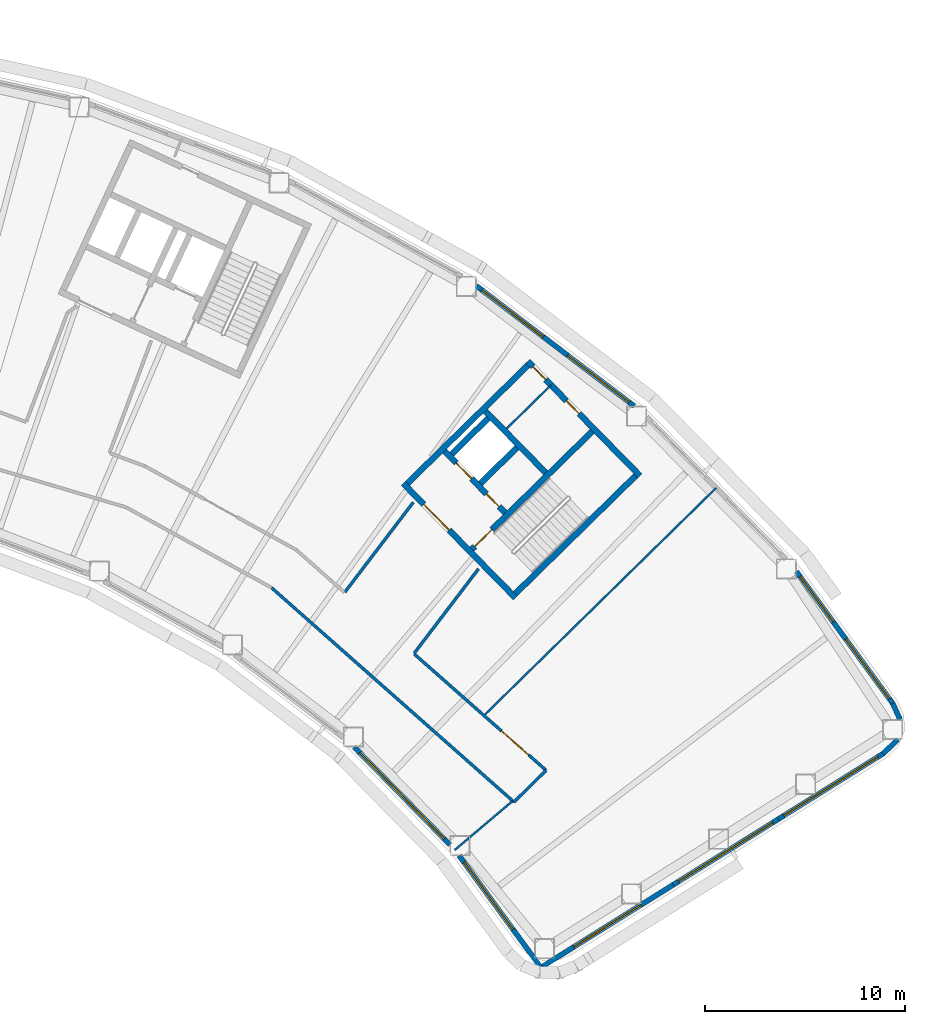
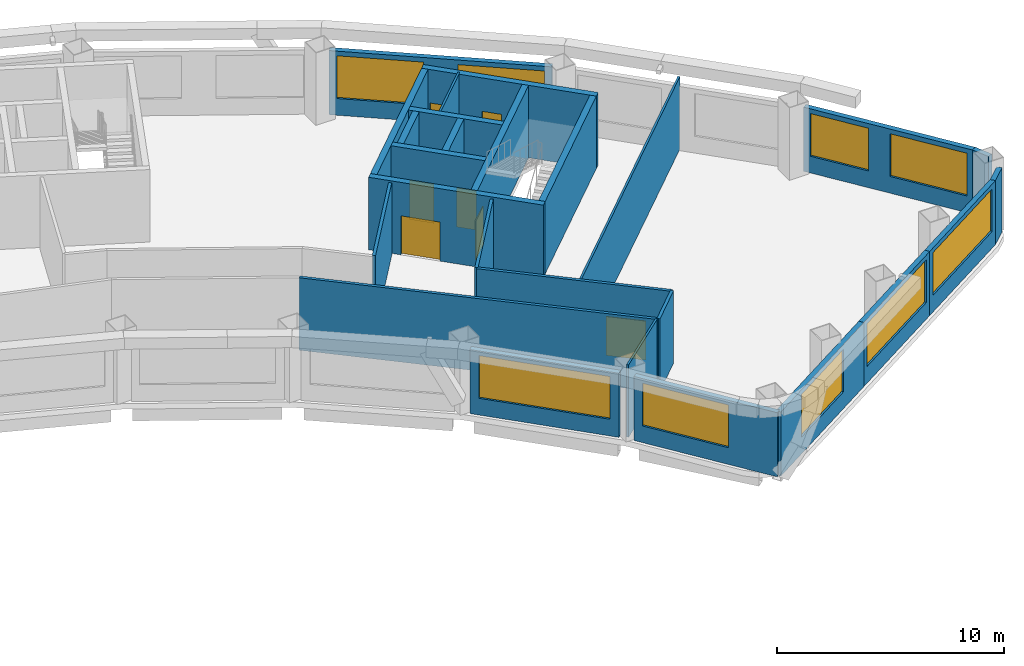
# One storey, part 6 of 13: 26 walls, 9 windows, 7 doors, 16 openings.
"""IFC4 building model written with IfcOpenShell, lengths in metres."""

from ifc_helpers import new_model, si_unit, direction, frame, frame_2d, origin, place, context, subcontext, project, spatial, rectangle, extrude, material, layer, layer_set, type_object, element, fill, save


model = new_model("IFC4")

# Units and contexts
model_context = context("Model", 3, precision=1e-05, world=origin(), true_north=direction((0.0, 1.0)))
body_context = subcontext(model_context, "Body", "Model", "MODEL_VIEW")
ifc_project = project(units=[si_unit("LENGTHUNIT", "METRE"), si_unit("AREAUNIT", "SQUARE_METRE"), si_unit("VOLUMEUNIT", "CUBIC_METRE"), si_unit("PLANEANGLEUNIT", "RADIAN"), si_unit("MASSUNIT", "GRAM", prefix="KILO")], contexts=[model_context])

# Site, building, storey
site_placement = place(None, origin())
site = spatial("IfcSite", under=ifc_project, at=site_placement, CompositionType="ELEMENT")
building_placement = place(site_placement, origin())
building = spatial("IfcBuilding", under=site, at=building_placement, Name="Tuul Gate Civic Tower", CompositionType="ELEMENT")
storey_placement = place(building_placement, frame((0.0, 0.0, 150.800048828125)))
storey = spatial("IfcBuildingStorey", under=building, at=storey_placement, Name="Level 34", CompositionType="ELEMENT", Elevation=150.800048828125)

# Wall, opening, door
ifc_material_1 = material(Name="Concrete C50/60", Category="concrete")
ifc_layer_1 = layer(ifc_material_1, 0.300048828125)
ifc_layer_set_1 = layer_set([ifc_layer_1], Name="Concrete C50/60")
wall_type_1 = type_object("IfcWallType", Name="Core wall C50/60", PredefinedType="SHEAR", material=ifc_layer_set_1)
wall_1_placement = place(storey_placement, frame((48.22509765625, -18.327880859375, 0.0), z_axis=(0.0, 0.0, 1.0), x_axis=(-0.700021979774, 0.714121297703, 0.0)))
wall_1 = element("IfcWall", 1, at=wall_1_placement, inside=storey, type_object=wall_type_1, Name="Core wall", PredefinedType="SHEAR", context=body_context, shape_type="SweptSolid", body=[
    extrude(rectangle(XDim=8.0, YDim=0.300048828125, at=frame_2d((4.0, 0.0))), origin(), (0.0, 0.0, 1.0), 3.89990234375),
])
opening_1_placement = place(wall_1_placement, frame((4.72509765625, 0.0, 0.0)))
opening_1 = element("IfcOpeningElement", 2, at=opening_1_placement, cuts=wall_1, Name="Opening LB-E1-LOBBY-1", PredefinedType="OPENING", context=body_context, shape_type="SweptSolid", body=[
    extrude(rectangle(XDim=1.800048828125, YDim=2.10009765625, at=frame_2d((0.89990234375, 1.050048828125))), frame((0.0, 0.16015625, 0.0), z_axis=(0.0, -1.0, 0.0), x_axis=(1.0, 0.0, 0.0)), (0.0, 0.0, 1.0), 0.320068359375),
])
ifc_material_2 = material(Name="Steel", Category="steel")
door_type_1 = type_object("IfcDoorType", Name="Lobby door", OperationType="DOUBLE_DOOR_SINGLE_SWING", PredefinedType="DOOR", material=ifc_material_2)
door_1_placement = place(opening_1_placement, frame((1.800048828125, 0.0, 0.0), z_axis=(0.0, 0.0, 1.0), x_axis=(-1.0, 0.0, 0.0)))
door_1 = element("IfcDoor", 3, at=door_1_placement, inside=storey, type_object=door_type_1, Name="Lobby door E1-LOBBY", OperationType="DOUBLE_DOOR_SINGLE_SWING", OverallHeight=2.10009765625, OverallWidth=1.800048828125, PredefinedType="DOOR", context=body_context, shape_type="SweptSolid", body=[
    extrude(rectangle(XDim=1.800048828125, YDim=2.10009765625, at=frame_2d((0.900146484375, 1.050048828125))), frame((0.0, 0.02490234375, 0.0), z_axis=(0.0, -1.0, 0.0), x_axis=(1.0, 0.0, 0.0)), (0.0, 0.0, 1.0), 0.050048828125),
])
fill(opening_1, door_1)

# Wall, openings, doors
wall_2_placement = place(storey_placement, frame((47.701904296875, -14.079833984375, 0.0), z_axis=(0.0, 0.0, 1.0), x_axis=(-0.700002721075, 0.714140175657, 0.0)))
wall_2 = element("IfcWall", 4, at=wall_2_placement, inside=storey, type_object=wall_type_1, Name="Core wall", PredefinedType="SHEAR", context=body_context, shape_type="SweptSolid", body=[
    extrude(rectangle(XDim=4.300048828125, YDim=0.300048828125, at=frame_2d((2.14990234375, 0.0))), origin(), (0.0, 0.0, 1.0), 3.89990234375),
])
opening_2_placement = place(wall_2_placement, frame((0.425048828125, 0.0, 0.0)))
opening_2 = element("IfcOpeningElement", 5, at=opening_2_placement, cuts=wall_2, Name="Opening FB-E1A1", PredefinedType="OPENING", context=body_context, shape_type="SweptSolid", body=[
    extrude(rectangle(XDim=0.89990234375, YDim=2.10009765625, at=frame_2d((0.449951171875, 1.050048828125))), frame((0.0, 0.16015625, 0.0), z_axis=(0.0, -1.0, 0.0), x_axis=(1.0, 0.0, 0.0)), (0.0, 0.0, 1.0), 0.320068359375),
])
opening_3_placement = place(wall_2_placement, frame((2.375, 0.0, 0.0)))
opening_3 = element("IfcOpeningElement", 6, at=opening_3_placement, cuts=wall_2, Name="Opening LD-M3", PredefinedType="OPENING", context=body_context, shape_type="SweptSolid", body=[
    extrude(rectangle(XDim=1.10009765625, YDim=2.10009765625, at=frame_2d((0.550048828125, 1.050048828125))), frame((0.0, 0.16015625, 0.0), z_axis=(0.0, -1.0, 0.0), x_axis=(1.0, 0.0, 0.0)), (0.0, 0.0, 1.0), 0.320068359375),
])
ifc_material_3 = material(Name="Stainless steel", Category="steel")
door_type_2 = type_object("IfcDoorType", Name="Landing door", OperationType="DOUBLE_DOOR_SLIDING", PredefinedType="DOOR", material=ifc_material_3)
door_2_placement = place(opening_3_placement, origin())
door_2 = element("IfcDoor", 7, at=door_2_placement, inside=storey, type_object=door_type_2, Name="Mid-rise lift M3 landing door", OperationType="DOUBLE_DOOR_SLIDING", OverallHeight=2.10009765625, OverallWidth=1.10009765625, PredefinedType="DOOR", context=body_context, shape_type="SweptSolid", body=[
    extrude(rectangle(XDim=1.10009765625, YDim=2.10009765625, at=frame_2d((0.550048828125, 1.050048828125))), frame((0.0, 0.02490234375, 0.0), z_axis=(0.0, -1.0, 0.0), x_axis=(1.0, 0.0, 0.0)), (0.0, 0.0, 1.0), 0.050048828125),
])
fill(opening_3, door_2)
ifc_material_4 = material(Name="Steel", Category="steel")
door_type_3 = type_object("IfcDoorType", Name="Store door", OperationType="NOTDEFINED", PredefinedType="DOOR", material=ifc_material_4)
door_3_placement = place(opening_2_placement, frame((0.89990234375, 0.0, 0.0), z_axis=(0.0, 0.0, 1.0), x_axis=(-1.0, 0.0, 0.0)))
door_3 = element("IfcDoor", 8, at=door_3_placement, inside=storey, type_object=door_type_3, Name="Store door E1A1", OperationType="SINGLE_SWING_RIGHT", OverallHeight=2.10009765625, OverallWidth=0.89990234375, PredefinedType="DOOR", context=body_context, shape_type="SweptSolid", body=[
    extrude(rectangle(XDim=0.89990234375, YDim=2.10009765625, at=frame_2d((0.449951171875, 1.050048828125))), frame((0.0, 0.02490234375, 0.0), z_axis=(0.0, -1.0, 0.0), x_axis=(1.0, 0.0, 0.0)), (0.0, 0.0, 1.0), 0.050048828125),
])
fill(opening_2, door_3)

# Wall
wall_3_placement = place(storey_placement, frame((49.737060546875, -12.0849609375, 0.0), z_axis=(0.0, 0.0, 1.0), x_axis=(-0.700002721075, 0.714140175657, 0.0)))
element("IfcWall", 9, at=wall_3_placement, inside=storey, type_object=wall_type_1, Name="Core wall", PredefinedType="SHEAR", context=body_context, shape_type="SweptSolid", body=[
    extrude(rectangle(XDim=4.300048828125, YDim=0.300048828125, at=frame_2d((2.14990234375, 0.0))), origin(), (0.0, 0.0, 1.0), 3.89990234375),
])

# Wall, openings, doors
wall_4_placement = place(storey_placement, frame((54.43798828125, -12.23779296875, 0.0), z_axis=(0.0, 0.0, 1.0), x_axis=(-0.700021979774, 0.714121297703, 0.0)))
wall_4 = element("IfcWall", 10, at=wall_4_placement, inside=storey, type_object=wall_type_1, Name="Core wall", PredefinedType="SHEAR", context=body_context, shape_type="SweptSolid", body=[
    extrude(rectangle(XDim=8.0, YDim=0.300048828125, at=frame_2d((4.0, 0.0))), origin(), (0.0, 0.0, 1.0), 3.89990234375),
])
opening_4_placement = place(wall_4_placement, frame((4.34375, 0.0, 0.0)))
opening_4 = element("IfcOpeningElement", 11, at=opening_4_placement, cuts=wall_4, Name="Opening L-D13", PredefinedType="OPENING", context=body_context, shape_type="SweptSolid", body=[
    extrude(rectangle(XDim=0.89990234375, YDim=2.10009765625, at=frame_2d((0.449951171875, 1.050048828125))), frame((0.0, 0.16015625, 0.0), z_axis=(0.0, -1.0, 0.0), x_axis=(1.0, 0.0, 0.0)), (0.0, 0.0, 1.0), 0.320068359375),
])
opening_5_placement = place(wall_4_placement, frame((6.71875, 0.0, 0.0)))
opening_5 = element("IfcOpeningElement", 12, at=opening_5_placement, cuts=wall_4, Name="Opening L-D14", PredefinedType="OPENING", context=body_context, shape_type="SweptSolid", body=[
    extrude(rectangle(XDim=0.89990234375, YDim=2.10009765625, at=frame_2d((0.449951171875, 1.050048828125))), frame((0.0, 0.16015625, 0.0), z_axis=(0.0, -1.0, 0.0), x_axis=(1.0, 0.0, 0.0)), (0.0, 0.0, 1.0), 0.320068359375),
])
ifc_material_5 = material(Name="Timber door leaf", Category="wood")
door_type_4 = type_object("IfcDoorType", Name="Door D09", OperationType="NOTDEFINED", PredefinedType="DOOR", material=ifc_material_5)
door_4_placement = place(opening_4_placement, origin())
door_4 = element("IfcDoor", 13, at=door_4_placement, inside=storey, type_object=door_type_4, Name="Door L-D13", OperationType="SINGLE_SWING_LEFT", OverallHeight=2.10009765625, OverallWidth=0.89990234375, PredefinedType="DOOR", context=body_context, shape_type="SweptSolid", body=[
    extrude(rectangle(XDim=0.89990234375, YDim=2.10009765625, at=frame_2d((0.449951171875, 1.050048828125))), frame((0.0, 0.02490234375, 0.0), z_axis=(0.0, -1.0, 0.0), x_axis=(1.0, 0.0, 0.0)), (0.0, 0.0, 1.0), 0.050048828125),
])
fill(opening_4, door_4)
door_5_placement = place(opening_5_placement, origin())
door_5 = element("IfcDoor", 14, at=door_5_placement, inside=storey, type_object=door_type_4, Name="Door L-D14", OperationType="SINGLE_SWING_LEFT", OverallHeight=2.10009765625, OverallWidth=0.89990234375, PredefinedType="DOOR", context=body_context, shape_type="SweptSolid", body=[
    extrude(rectangle(XDim=0.89990234375, YDim=2.10009765625, at=frame_2d((0.449951171875, 1.050048828125))), frame((0.0, 0.02490234375, 0.0), z_axis=(0.0, -1.0, 0.0), x_axis=(1.0, 0.0, 0.0)), (0.0, 0.0, 1.0), 0.050048828125),
])
fill(opening_5, door_5)

# Wall
wall_5_placement = place(storey_placement, frame((48.227294921875, -18.115966796875, 0.0), z_axis=(0.0, 0.0, 1.0), x_axis=(0.714105315431, 0.700038283577, 0.0)))
element("IfcWall", 15, at=wall_5_placement, inside=storey, type_object=wall_type_1, Name="Core wall", PredefinedType="SHEAR", context=body_context, shape_type="SweptSolid", body=[
    extrude(rectangle(XDim=8.400146484375, YDim=0.300048828125, at=frame_2d((4.2001953125, 0.0))), origin(), (0.0, 0.0, 1.0), 3.89990234375),
])

# Wall, opening, door
wall_6_placement = place(storey_placement, frame((46.05712890625, -15.902099609375, 0.0), z_axis=(0.0, 0.0, 1.0), x_axis=(0.714134086973, 0.700008932674, 0.0)))
wall_6 = element("IfcWall", 16, at=wall_6_placement, inside=storey, type_object=wall_type_1, Name="Core wall", PredefinedType="SHEAR", context=body_context, shape_type="SweptSolid", body=[
    extrude(rectangle(XDim=8.400146484375, YDim=0.300048828125, at=frame_2d((4.2001953125, 0.0))), origin(), (0.0, 0.0, 1.0), 3.89990234375),
])
opening_6_placement = place(wall_6_placement, frame((0.199951171875, 0.0, 0.0)))
opening_6 = element("IfcOpeningElement", 17, at=opening_6_placement, cuts=wall_6, Name="Opening SD-ST-3", PredefinedType="OPENING", context=body_context, shape_type="SweptSolid", body=[
    extrude(rectangle(XDim=1.199951171875, YDim=2.10009765625, at=frame_2d((0.60009765625, 1.050048828125))), frame((0.0, 0.16015625, 0.0), z_axis=(0.0, -1.0, 0.0), x_axis=(1.0, 0.0, 0.0)), (0.0, 0.0, 1.0), 0.320068359375),
])
ifc_material_6 = material(Name="Steel", Category="steel")
door_type_5 = type_object("IfcDoorType", Name="Stair door", OperationType="NOTDEFINED", PredefinedType="DOOR", material=ifc_material_6)
door_6_placement = place(opening_6_placement, origin())
door_6 = element("IfcDoor", 18, at=door_6_placement, inside=storey, type_object=door_type_5, Name="Stair door ST-3", OperationType="SINGLE_SWING_LEFT", OverallHeight=2.10009765625, OverallWidth=1.199951171875, PredefinedType="DOOR", context=body_context, shape_type="SweptSolid", body=[
    extrude(rectangle(XDim=1.199951171875, YDim=2.10009765625, at=frame_2d((0.60009765625, 1.050048828125))), frame((0.0, 0.02490234375, 0.0), z_axis=(0.0, -1.0, 0.0), x_axis=(1.0, 0.0, 0.0)), (0.0, 0.0, 1.0), 0.050048828125),
])
fill(opening_6, door_6)

# Walls
wall_7_placement = place(storey_placement, frame((46.47900390625, -12.617919921875, 0.0), z_axis=(0.0, 0.0, 1.0), x_axis=(0.71410944159, 0.700034074479, 0.0)))
element("IfcWall", 19, at=wall_7_placement, inside=storey, type_object=wall_type_1, Name="Core wall", PredefinedType="SHEAR", context=body_context, shape_type="SweptSolid", body=[
    extrude(rectangle(XDim=2.5498046875, YDim=0.300048828125, at=frame_2d((1.27490234375, 0.0))), origin(), (0.0, 0.0, 1.0), 3.89990234375),
])
wall_8_placement = place(storey_placement, frame((45.0439453125, -11.154052734375, 0.0), z_axis=(0.0, 0.0, 1.0), x_axis=(0.714108498262, 0.700035036773, 0.0)))
element("IfcWall", 20, at=wall_8_placement, inside=storey, type_object=wall_type_1, Name="Core wall", PredefinedType="SHEAR", context=body_context, shape_type="SweptSolid", body=[
    extrude(rectangle(XDim=2.550048828125, YDim=0.300048828125, at=frame_2d((1.27490234375, 0.0))), origin(), (0.0, 0.0, 1.0), 3.89990234375),
])
wall_9_placement = place(storey_placement, frame((42.837158203125, -12.616943359375, 0.0), z_axis=(0.0, 0.0, 1.0), x_axis=(0.714119844755, 0.700023461983, 0.0)))
element("IfcWall", 21, at=wall_9_placement, inside=storey, type_object=wall_type_1, Name="Core wall", PredefinedType="SHEAR", context=body_context, shape_type="SweptSolid", body=[
    extrude(rectangle(XDim=8.39990234375, YDim=0.300048828125, at=frame_2d((4.199951171875, 0.0))), origin(), (0.0, 0.0, 1.0), 3.89990234375),
])
ifc_material_7 = material(Name="Gypsum board partition")
ifc_layer_2 = layer(ifc_material_7, 0.14990234375)
ifc_layer_set_2 = layer_set([ifc_layer_2], Name="Gypsum board partition")
wall_type_2 = type_object("IfcWallType", Name="Corridor wall P150", PredefinedType="PARTITIONING", material=ifc_layer_set_2)
wall_10_placement = place(storey_placement, frame((36.05712890625, -17.82568359375, 0.0), z_axis=(0.0, 0.0, 1.0), x_axis=(0.749274461917, -0.66225960221, 0.0)))
element("IfcWall", 22, at=wall_10_placement, inside=storey, type_object=wall_type_2, Name="p003", PredefinedType="PARTITIONING", context=body_context, shape_type="SweptSolid", body=[
    extrude(rectangle(XDim=16.144287109375, YDim=0.14990234375, at=frame_2d((8.072265625, 0.0))), origin(), (0.0, 0.0, 1.0), 3.89990234375),
])
wall_11_placement = place(storey_placement, frame((48.153564453125, -28.517333984375, 0.0), z_axis=(0.0, 0.0, 1.0), x_axis=(0.711649081693, 0.702535112664, 0.0)))
element("IfcWall", 23, at=wall_11_placement, inside=storey, type_object=wall_type_2, Name="p004", PredefinedType="PARTITIONING", context=body_context, shape_type="SweptSolid", body=[
    extrude(rectangle(XDim=2.250244140625, YDim=0.14990234375, at=frame_2d((1.125, 0.0))), origin(), (0.0, 0.0, 1.0), 3.89990234375),
])

# Wall, opening, door
wall_12_placement = place(storey_placement, frame((43.172607421875, -21.1279296875, 0.0), z_axis=(0.0, 0.0, 1.0), x_axis=(0.74979808612, -0.661666706167, 0.0)))
wall_12 = element("IfcWall", 24, at=wall_12_placement, inside=storey, type_object=wall_type_2, Name="p006", PredefinedType="PARTITIONING", context=body_context, shape_type="SweptSolid", body=[
    extrude(rectangle(XDim=8.77880859375, YDim=0.14990234375, at=frame_2d((4.389404296875, 0.0))), origin(), (0.0, 0.0, 1.0), 3.89990234375),
])
opening_7_placement = place(wall_12_placement, frame((5.811767578125, 0.0, 0.0)))
opening_7 = element("IfcOpeningElement", 25, at=opening_7_placement, cuts=wall_12, Name="Opening L-D01", PredefinedType="OPENING", context=body_context, shape_type="SweptSolid", body=[
    extrude(rectangle(XDim=1.800048828125, YDim=2.10009765625, at=frame_2d((0.89990234375, 1.050048828125))), frame((0.0, 0.0849609375, 0.0), z_axis=(0.0, -1.0, 0.0), x_axis=(1.0, 0.0, 0.0)), (0.0, 0.0, 1.0), 0.169921875),
])
ifc_material_8 = material(Name="Timber door leaf, double", Category="wood")
door_type_6 = type_object("IfcDoorType", Name="Door D18", OperationType="DOUBLE_DOOR_SINGLE_SWING", PredefinedType="DOOR", material=ifc_material_8)
door_7_placement = place(opening_7_placement, origin())
door_7 = element("IfcDoor", 26, at=door_7_placement, inside=storey, type_object=door_type_6, Name="Door L-D01", OperationType="DOUBLE_DOOR_SINGLE_SWING", OverallHeight=2.10009765625, OverallWidth=1.800048828125, PredefinedType="DOOR", context=body_context, shape_type="SweptSolid", body=[
    extrude(rectangle(XDim=1.800048828125, YDim=2.10009765625, at=frame_2d((0.89990234375, 1.050048828125))), frame((0.0, 0.02490234375, 0.0), z_axis=(0.0, -1.0, 0.0), x_axis=(1.0, 0.0, 0.0)), (0.0, 0.0, 1.0), 0.050048828125),
])
fill(opening_7, door_7)

# Walls
wall_13_placement = place(storey_placement, frame((43.169677734375, -21.099609375, 0.0), z_axis=(0.0, 0.0, 1.0), x_axis=(0.605786662661, 0.795627123307, 0.0)))
element("IfcWall", 27, at=wall_13_placement, inside=storey, type_object=wall_type_2, Name="p008", PredefinedType="PARTITIONING", context=body_context, shape_type="SweptSolid", body=[
    extrude(rectangle(XDim=5.304931640625, YDim=0.14990234375, at=frame_2d((2.65234375, 0.0))), origin(), (0.0, 0.0, 1.0), 3.89990234375),
])
wall_14_placement = place(storey_placement, frame((39.713134765625, -18.04541015625, 0.0), z_axis=(0.0, 0.0, 1.0), x_axis=(0.605803162891, 0.795614559841, 0.0)))
element("IfcWall", 28, at=wall_14_placement, inside=storey, type_object=wall_type_2, Name="p009", PredefinedType="PARTITIONING", context=body_context, shape_type="SweptSolid", body=[
    extrude(rectangle(XDim=5.638916015625, YDim=0.14990234375, at=frame_2d((2.8193359375, 0.0))), origin(), (0.0, 0.0, 1.0), 3.89990234375),
])
ifc_material_9 = material(Name="Precast concrete C40/50", Category="concrete")
ifc_layer_3 = layer(ifc_material_9, 0.25)
ifc_layer_set_3 = layer_set([ifc_layer_3], Name="Precast concrete C40/50")
wall_type_3 = type_object("IfcWallType", Name="External wall", PredefinedType="STANDARD", material=ifc_layer_set_3)
wall_15_placement = place(storey_placement, frame((66.564453125, -26.109619140625, 0.0), z_axis=(0.0, 0.0, 1.0), x_axis=(0.722224898846, 0.691658293875, 0.0)))
element("IfcWall", 29, at=wall_15_placement, inside=storey, type_object=wall_type_3, Name="External wall", PredefinedType="STANDARD", context=body_context, shape_type="SweptSolid", body=[
    extrude(rectangle(XDim=1.0302734375, YDim=0.25, at=frame_2d((0.51513671875, 0.0))), origin(), (0.0, 0.0, 1.0), 3.449951171875),
])
wall_16_placement = place(storey_placement, frame((67.416015625, -24.39697265625, 0.0), z_axis=(0.0, 0.0, 1.0), x_axis=(-0.41355333093, 0.9104798968, 0.0)))
element("IfcWall", 30, at=wall_16_placement, inside=storey, type_object=wall_type_3, Name="External wall", PredefinedType="STANDARD", context=body_context, shape_type="SweptSolid", body=[
    extrude(rectangle(XDim=0.88427734375, YDim=0.25, at=frame_2d((0.442138671875, 0.0))), origin(), (0.0, 0.0, 1.0), 3.449951171875),
])

# Wall, openings, windows
wall_17_placement = place(storey_placement, frame((67.06298828125, -23.61376953125, 0.0), z_axis=(0.0, 0.0, 1.0), x_axis=(-0.589745261817, 0.807589330145, 0.0)))
wall_17 = element("IfcWall", 31, at=wall_17_placement, inside=storey, type_object=wall_type_3, Name="External wall", PredefinedType="STANDARD", context=body_context, shape_type="SweptSolid", body=[
    extrude(rectangle(XDim=8.167724609375, YDim=0.25, at=frame_2d((4.083984375, 0.0))), origin(), (0.0, 0.0, 1.0), 3.449951171875),
])
opening_8_placement = place(wall_17_placement, frame((0.30078125, 0.0, 0.89990234375)))
opening_8 = element("IfcOpeningElement", 32, at=opening_8_placement, cuts=wall_17, Name="Opening W21", PredefinedType="OPENING", context=body_context, shape_type="SweptSolid", body=[
    extrude(rectangle(XDim=3.699951171875, YDim=2.300048828125, at=frame_2d((1.85009765625, 1.14990234375))), frame((0.0, 0.135009765625, 0.0), z_axis=(0.0, -1.0, 0.0), x_axis=(1.0, 0.0, 0.0)), (0.0, 0.0, 1.0), 0.27001953125),
])
opening_9_placement = place(wall_17_placement, frame((5.052734375, 0.0, 0.89990234375)))
opening_9 = element("IfcOpeningElement", 33, at=opening_9_placement, cuts=wall_17, Name="Opening W23", PredefinedType="OPENING", context=body_context, shape_type="SweptSolid", body=[
    extrude(rectangle(XDim=2.800048828125, YDim=2.300048828125, at=frame_2d((1.39990234375, 1.14990234375))), frame((0.0, 0.135009765625, 0.0), z_axis=(0.0, -1.0, 0.0), x_axis=(1.0, 0.0, 0.0)), (0.0, 0.0, 1.0), 0.27001953125),
])
ifc_material_10 = material(Name="Glass", Category="glass")
window_type_1 = type_object("IfcWindowType", Name="Window W21 3700 x 2300", PartitioningType="SINGLE_PANEL", PredefinedType="WINDOW", material=ifc_material_10)
window_1_placement = place(opening_8_placement, origin())
window_1 = element("IfcWindow", 34, at=window_1_placement, inside=storey, type_object=window_type_1, Name="Window", OverallHeight=2.300048828125, OverallWidth=3.699951171875, PartitioningType="SINGLE_PANEL", PredefinedType="WINDOW", context=body_context, shape_type="SweptSolid", body=[
    extrude(rectangle(XDim=3.699951171875, YDim=2.300048828125, at=frame_2d((1.85009765625, 1.14990234375))), frame((0.0, 0.030029296875, 0.0), z_axis=(0.0, -1.0, 0.0), x_axis=(1.0, 0.0, 0.0)), (0.0, 0.0, 1.0), 0.06005859375),
])
fill(opening_8, window_1)
ifc_material_11 = material(Name="Glass", Category="glass")
window_type_2 = type_object("IfcWindowType", Name="Window W23 2800 x 2300", PartitioningType="SINGLE_PANEL", PredefinedType="WINDOW", material=ifc_material_11)
window_2_placement = place(opening_9_placement, origin())
window_2 = element("IfcWindow", 35, at=window_2_placement, inside=storey, type_object=window_type_2, Name="Window", OverallHeight=2.300048828125, OverallWidth=2.800048828125, PartitioningType="SINGLE_PANEL", PredefinedType="WINDOW", context=body_context, shape_type="SweptSolid", body=[
    extrude(rectangle(XDim=2.800048828125, YDim=2.300048828125, at=frame_2d((1.39990234375, 1.14990234375))), frame((0.0, 0.030029296875, 0.0), z_axis=(0.0, -1.0, 0.0), x_axis=(1.0, 0.0, 0.0)), (0.0, 0.0, 1.0), 0.06005859375),
])
fill(opening_9, window_2)

wall_18_placement = place(storey_placement, frame((54.15087890625, -8.759033203125, 0.0), z_axis=(0.0, 0.0, 1.0), x_axis=(-0.795610041496, 0.605809096887, 0.0)))
wall_18 = element("IfcWall", 36, at=wall_18_placement, inside=storey, type_object=wall_type_3, Name="External wall", PredefinedType="STANDARD", context=body_context, shape_type="SweptSolid", body=[
    extrude(rectangle(XDim=9.89794921875, YDim=0.25, at=frame_2d((4.948974609375, 0.0))), origin(), (0.0, 0.0, 1.0), 3.449951171875),
])
opening_10_placement = place(wall_18_placement, frame((0.3291015625, 0.0, 0.89990234375)))
opening_10 = element("IfcOpeningElement", 37, at=opening_10_placement, cuts=wall_18, Name="Opening W22", PredefinedType="OPENING", context=body_context, shape_type="SweptSolid", body=[
    extrude(rectangle(XDim=3.85009765625, YDim=2.300048828125, at=frame_2d((1.925048828125, 1.14990234375))), frame((0.0, 0.135009765625, 0.0), z_axis=(0.0, -1.0, 0.0), x_axis=(1.0, 0.0, 0.0)), (0.0, 0.0, 1.0), 0.27001953125),
])
opening_11_placement = place(wall_18_placement, frame((5.700439453125, 0.0, 0.89990234375)))
opening_11 = element("IfcOpeningElement", 38, at=opening_11_placement, cuts=wall_18, Name="Opening W22", PredefinedType="OPENING", context=body_context, shape_type="SweptSolid", body=[
    extrude(rectangle(XDim=3.85009765625, YDim=2.300048828125, at=frame_2d((1.925048828125, 1.14990234375))), frame((0.0, 0.135009765625, 0.0), z_axis=(0.0, -1.0, 0.0), x_axis=(1.0, 0.0, 0.0)), (0.0, 0.0, 1.0), 0.27001953125),
])
ifc_material_12 = material(Name="Glass", Category="glass")
window_type_3 = type_object("IfcWindowType", Name="Window W22 3850 x 2300", PartitioningType="SINGLE_PANEL", PredefinedType="WINDOW", material=ifc_material_12)
window_3_placement = place(opening_10_placement, origin())
window_3 = element("IfcWindow", 39, at=window_3_placement, inside=storey, type_object=window_type_3, Name="Window", OverallHeight=2.300048828125, OverallWidth=3.85009765625, PartitioningType="SINGLE_PANEL", PredefinedType="WINDOW", context=body_context, shape_type="SweptSolid", body=[
    extrude(rectangle(XDim=3.85009765625, YDim=2.300048828125, at=frame_2d((1.925048828125, 1.14990234375))), frame((0.0, 0.030029296875, 0.0), z_axis=(0.0, -1.0, 0.0), x_axis=(1.0, 0.0, 0.0)), (0.0, 0.0, 1.0), 0.06005859375),
])
fill(opening_10, window_3)
window_4_placement = place(opening_11_placement, origin())
window_4 = element("IfcWindow", 40, at=window_4_placement, inside=storey, type_object=window_type_3, Name="Window", OverallHeight=2.300048828125, OverallWidth=3.85009765625, PartitioningType="SINGLE_PANEL", PredefinedType="WINDOW", context=body_context, shape_type="SweptSolid", body=[
    extrude(rectangle(XDim=3.85009765625, YDim=2.300048828125, at=frame_2d((1.925048828125, 1.14990234375))), frame((0.0, 0.030029296875, 0.0), z_axis=(0.0, -1.0, 0.0), x_axis=(1.0, 0.0, 0.0)), (0.0, 0.0, 1.0), 0.06005859375),
])
fill(opening_11, window_4)

# Wall, opening, window
wall_19_placement = place(storey_placement, frame((40.1748046875, -25.77099609375, 0.0), z_axis=(0.0, 0.0, 1.0), x_axis=(0.700046388208, -0.714097370361, 0.0)))
wall_19 = element("IfcWall", 41, at=wall_19_placement, inside=storey, type_object=wall_type_3, Name="External wall", PredefinedType="STANDARD", context=body_context, shape_type="SweptSolid", body=[
    extrude(rectangle(XDim=6.82861328125, YDim=0.25, at=frame_2d((3.414306640625, 0.0))), origin(), (0.0, 0.0, 1.0), 3.449951171875),
])
opening_12_placement = place(wall_19_placement, frame((0.41552734375, 0.0, 0.89990234375)))
opening_12 = element("IfcOpeningElement", 42, at=opening_12_placement, cuts=wall_19, Name="Opening W26", PredefinedType="OPENING", context=body_context, shape_type="SweptSolid", body=[
    extrude(rectangle(XDim=6.0, YDim=2.300048828125, at=frame_2d((3.0, 1.14990234375))), frame((0.0, 0.135009765625, 0.0), z_axis=(0.0, -1.0, 0.0), x_axis=(1.0, 0.0, 0.0)), (0.0, 0.0, 1.0), 0.27001953125),
])
ifc_material_13 = material(Name="Glass", Category="glass")
window_type_4 = type_object("IfcWindowType", Name="Window W26 6000 x 2300", PartitioningType="SINGLE_PANEL", PredefinedType="WINDOW", material=ifc_material_13)
window_5_placement = place(opening_12_placement, origin())
window_5 = element("IfcWindow", 43, at=window_5_placement, inside=storey, type_object=window_type_4, Name="Window", OverallHeight=2.300048828125, OverallWidth=6.0, PartitioningType="SINGLE_PANEL", PredefinedType="WINDOW", context=body_context, shape_type="SweptSolid", body=[
    extrude(rectangle(XDim=6.0, YDim=2.300048828125, at=frame_2d((3.0, 1.14990234375))), frame((0.0, 0.030029296875, 0.0), z_axis=(0.0, -1.0, 0.0), x_axis=(1.0, 0.0, 0.0)), (0.0, 0.0, 1.0), 0.06005859375),
])
fill(opening_12, window_5)

wall_20_placement = place(storey_placement, frame((45.417724609375, -31.193115234375, 0.0), z_axis=(0.0, 0.0, 1.0), x_axis=(0.589725122594, -0.807604036507, 0.0)))
wall_20 = element("IfcWall", 44, at=wall_20_placement, inside=storey, type_object=wall_type_3, Name="External wall", PredefinedType="STANDARD", context=body_context, shape_type="SweptSolid", body=[
    extrude(rectangle(XDim=6.910400390625, YDim=0.25, at=frame_2d((3.455078125, 0.0))), origin(), (0.0, 0.0, 1.0), 3.449951171875),
])
opening_13_placement = place(wall_20_placement, frame((0.40380859375, 0.0, 0.89990234375)))
opening_13 = element("IfcOpeningElement", 45, at=opening_13_placement, cuts=wall_20, Name="Opening W25", PredefinedType="OPENING", context=body_context, shape_type="SweptSolid", body=[
    extrude(rectangle(XDim=4.14990234375, YDim=2.300048828125, at=frame_2d((2.074951171875, 1.14990234375))), frame((0.0, 0.135009765625, 0.0), z_axis=(0.0, -1.0, 0.0), x_axis=(1.0, 0.0, 0.0)), (0.0, 0.0, 1.0), 0.27001953125),
])
ifc_material_14 = material(Name="Glass", Category="glass")
window_type_5 = type_object("IfcWindowType", Name="Window W25 4150 x 2300", PartitioningType="SINGLE_PANEL", PredefinedType="WINDOW", material=ifc_material_14)
window_6_placement = place(opening_13_placement, origin())
window_6 = element("IfcWindow", 46, at=window_6_placement, inside=storey, type_object=window_type_5, Name="Window", OverallHeight=2.300048828125, OverallWidth=4.14990234375, PartitioningType="SINGLE_PANEL", PredefinedType="WINDOW", context=body_context, shape_type="SweptSolid", body=[
    extrude(rectangle(XDim=4.14990234375, YDim=2.300048828125, at=frame_2d((2.074951171875, 1.14990234375))), frame((0.0, 0.030029296875, 0.0), z_axis=(0.0, -1.0, 0.0), x_axis=(1.0, 0.0, 0.0)), (0.0, 0.0, 1.0), 0.06005859375),
])
fill(opening_13, window_6)

wall_21_placement = place(storey_placement, frame((49.492919921875, -36.77392578125, 0.0), z_axis=(0.0, 0.0, 1.0), x_axis=(0.848059933221, 0.529900320499, 0.0)))
wall_21 = element("IfcWall", 47, at=wall_21_placement, inside=storey, type_object=wall_type_3, Name="External wall", PredefinedType="STANDARD", context=body_context, shape_type="SweptSolid", body=[
    extrude(rectangle(XDim=7.78857421875, YDim=0.25, at=frame_2d((3.894287109375, 0.0))), origin(), (0.0, 0.0, 1.0), 3.449951171875),
])
opening_14_placement = place(wall_21_placement, frame((1.94189453125, 0.0, 0.89990234375)))
opening_14 = element("IfcOpeningElement", 48, at=opening_14_placement, cuts=wall_21, Name="Opening W113", PredefinedType="OPENING", context=body_context, shape_type="SweptSolid", body=[
    extrude(rectangle(XDim=3.949951171875, YDim=2.300048828125, at=frame_2d((1.97509765625, 1.14990234375))), frame((0.0, 0.135009765625, 0.0), z_axis=(0.0, -1.0, 0.0), x_axis=(1.0, 0.0, 0.0)), (0.0, 0.0, 1.0), 0.27001953125),
])
ifc_material_15 = material(Name="Glass", Category="glass")
window_type_6 = type_object("IfcWindowType", Name="Window W113 3950 x 2300", PartitioningType="SINGLE_PANEL", PredefinedType="WINDOW", material=ifc_material_15)
window_7_placement = place(opening_14_placement, origin())
window_7 = element("IfcWindow", 49, at=window_7_placement, inside=storey, type_object=window_type_6, Name="Window", OverallHeight=2.300048828125, OverallWidth=3.949951171875, PartitioningType="SINGLE_PANEL", PredefinedType="WINDOW", context=body_context, shape_type="SweptSolid", body=[
    extrude(rectangle(XDim=3.949951171875, YDim=2.300048828125, at=frame_2d((1.97509765625, 1.14990234375))), frame((0.0, 0.030029296875, 0.0), z_axis=(0.0, -1.0, 0.0), x_axis=(1.0, 0.0, 0.0)), (0.0, 0.0, 1.0), 0.06005859375),
])
fill(opening_14, window_7)

wall_22_placement = place(storey_placement, frame((56.09814453125, -32.646728515625, 0.0), z_axis=(0.0, 0.0, 1.0), x_axis=(0.848042669488, 0.529927948619, 0.0)))
wall_22 = element("IfcWall", 50, at=wall_22_placement, inside=storey, type_object=wall_type_3, Name="External wall", PredefinedType="STANDARD", context=body_context, shape_type="SweptSolid", body=[
    extrude(rectangle(XDim=6.1826171875, YDim=0.25, at=frame_2d((3.09130859375, 0.0))), origin(), (0.0, 0.0, 1.0), 3.449951171875),
])
opening_15_placement = place(wall_22_placement, frame((0.31640625, 0.0, 0.89990234375)))
opening_15 = element("IfcOpeningElement", 51, at=opening_15_placement, cuts=wall_22, Name="Opening W24", PredefinedType="OPENING", context=body_context, shape_type="SweptSolid", body=[
    extrude(rectangle(XDim=5.550048828125, YDim=2.300048828125, at=frame_2d((2.77490234375, 1.14990234375))), frame((0.0, 0.135009765625, 0.0), z_axis=(0.0, -1.0, 0.0), x_axis=(1.0, 0.0, 0.0)), (0.0, 0.0, 1.0), 0.27001953125),
])
ifc_material_16 = material(Name="Glass", Category="glass")
window_type_7 = type_object("IfcWindowType", Name="Window W24 5550 x 2300", PartitioningType="SINGLE_PANEL", PredefinedType="WINDOW", material=ifc_material_16)
window_8_placement = place(opening_15_placement, origin())
window_8 = element("IfcWindow", 52, at=window_8_placement, inside=storey, type_object=window_type_7, Name="Window", OverallHeight=2.300048828125, OverallWidth=5.550048828125, PartitioningType="SINGLE_PANEL", PredefinedType="WINDOW", context=body_context, shape_type="SweptSolid", body=[
    extrude(rectangle(XDim=5.550048828125, YDim=2.300048828125, at=frame_2d((2.77490234375, 1.14990234375))), frame((0.0, 0.030029296875, 0.0), z_axis=(0.0, -1.0, 0.0), x_axis=(1.0, 0.0, 0.0)), (0.0, 0.0, 1.0), 0.06005859375),
])
fill(opening_15, window_8)

wall_23_placement = place(storey_placement, frame((61.34130859375, -29.370361328125, 0.0), z_axis=(0.0, 0.0, 1.0), x_axis=(0.848053758074, 0.529910203164, 0.0)))
wall_23 = element("IfcWall", 53, at=wall_23_placement, inside=storey, type_object=wall_type_3, Name="External wall", PredefinedType="STANDARD", context=body_context, shape_type="SweptSolid", body=[
    extrude(rectangle(XDim=6.182861328125, YDim=0.25, at=frame_2d((3.09130859375, 0.0))), origin(), (0.0, 0.0, 1.0), 3.449951171875),
])
opening_16_placement = place(wall_23_placement, frame((0.31640625, 0.0, 0.89990234375)))
opening_16 = element("IfcOpeningElement", 54, at=opening_16_placement, cuts=wall_23, Name="Opening W24", PredefinedType="OPENING", context=body_context, shape_type="SweptSolid", body=[
    extrude(rectangle(XDim=5.550048828125, YDim=2.300048828125, at=frame_2d((2.77490234375, 1.14990234375))), frame((0.0, 0.135009765625, 0.0), z_axis=(0.0, -1.0, 0.0), x_axis=(1.0, 0.0, 0.0)), (0.0, 0.0, 1.0), 0.27001953125),
])
window_9_placement = place(opening_16_placement, origin())
window_9 = element("IfcWindow", 55, at=window_9_placement, inside=storey, type_object=window_type_7, Name="Window", OverallHeight=2.300048828125, OverallWidth=5.550048828125, PartitioningType="SINGLE_PANEL", PredefinedType="WINDOW", context=body_context, shape_type="SweptSolid", body=[
    extrude(rectangle(XDim=5.550048828125, YDim=2.300048828125, at=frame_2d((2.77490234375, 1.14990234375))), frame((0.0, 0.030029296875, 0.0), z_axis=(0.0, -1.0, 0.0), x_axis=(1.0, 0.0, 0.0)), (0.0, 0.0, 1.0), 0.06005859375),
])
fill(opening_16, window_9)

# Walls
ifc_material_17 = material(Name="Gypsum board partition")
ifc_layer_4 = layer(ifc_material_17, 0.10009765625)
ifc_layer_set_4 = layer_set([ifc_layer_4], Name="Gypsum board partition")
wall_type_4 = type_object("IfcWallType", Name="Partition P100", PredefinedType="PARTITIONING", material=ifc_layer_set_4)
wall_24_placement = place(storey_placement, frame((46.655029296875, -24.201171875, 0.0), z_axis=(0.0, 0.0, 1.0), x_axis=(0.714127101871, 0.700016058653, 0.0)))
element("IfcWall", 56, at=wall_24_placement, inside=storey, type_object=wall_type_4, Name="p001", PredefinedType="PARTITIONING", context=body_context, shape_type="SweptSolid", body=[
    extrude(rectangle(XDim=16.228759765625, YDim=0.10009765625, at=frame_2d((8.1142578125, 0.0))), origin(), (0.0, 0.0, 1.0), 3.89990234375),
])
wall_25_placement = place(storey_placement, frame((45.202392578125, -30.906982421875, 0.0), z_axis=(0.0, 0.0, 1.0), x_axis=(0.762842742197, 0.646584063117, 0.0)))
element("IfcWall", 57, at=wall_25_placement, inside=storey, type_object=wall_type_4, Name="p002", PredefinedType="PARTITIONING", context=body_context, shape_type="SweptSolid", body=[
    extrude(rectangle(XDim=3.7841796875, YDim=0.10009765625, at=frame_2d((1.89208984375, 0.0))), origin(), (0.0, 0.0, 1.0), 3.89990234375),
])
wall_26_placement = place(storey_placement, frame((47.787841796875, -9.882080078125, 0.0), z_axis=(0.0, 0.0, 1.0), x_axis=(0.714119924869, 0.700023380256, 0.0)))
element("IfcWall", 58, at=wall_26_placement, inside=storey, type_object=wall_type_4, Name="bE1-BAND-0", PredefinedType="PARTITIONING", context=body_context, shape_type="SweptSolid", body=[
    extrude(rectangle(XDim=3.10009765625, YDim=0.10009765625, at=frame_2d((1.550048828125, 0.0))), origin(), (0.0, 0.0, 1.0), 3.89990234375),
])

save(model, "model.ifc")
